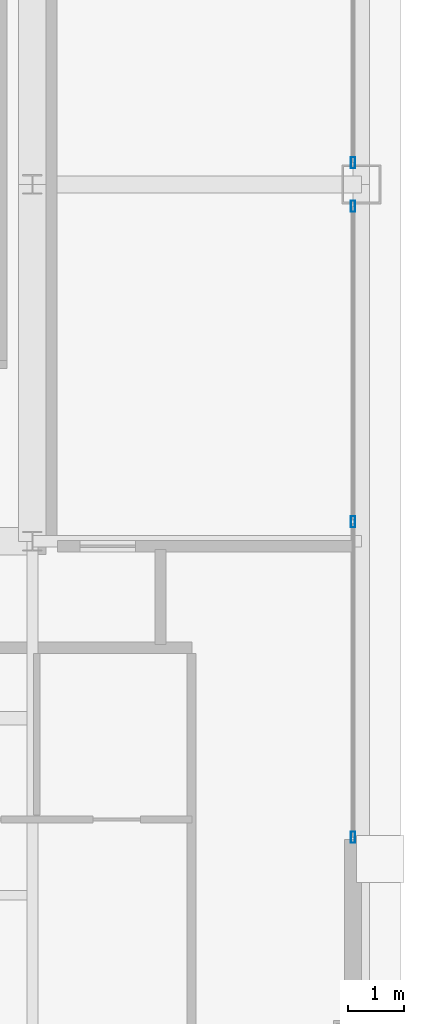
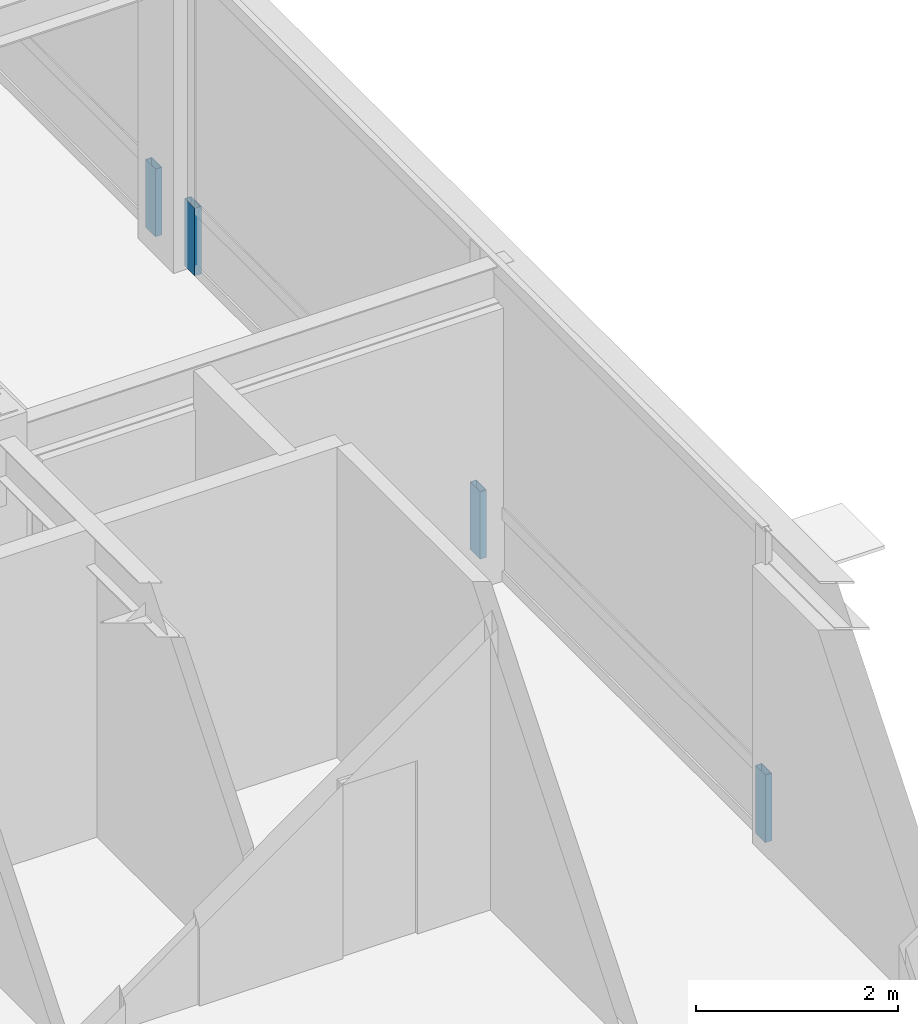
# One storey, part 25 of 34: 4 members, 2 elements without a shape of their own.
"""IFC4 building model written with IfcOpenShell, lengths in metres."""

from ifc_helpers import new_model, si_unit, direction, frame, origin, origin_2d, place, context, subcontext, project, spatial, hollow_rectangle, extrude, source, transform, mapped, material, layer, layer_set, material_profile, profile_set, type_object, element, aggregate, save


model = new_model("IFC4")

# Units and contexts
model_context = context("Model", 3, precision=1e-05, world=origin(), true_north=direction((0.0, 1.0)))
body_context = subcontext(model_context, "Body", "Model", "MODEL_VIEW")
ifc_project = project(units=[si_unit("LENGTHUNIT", "METRE"), si_unit("AREAUNIT", "SQUARE_METRE"), si_unit("VOLUMEUNIT", "CUBIC_METRE"), si_unit("PLANEANGLEUNIT", "RADIAN"), si_unit("MASSUNIT", "GRAM", prefix="KILO"), si_unit("THERMODYNAMICTEMPERATUREUNIT", "KELVIN"), si_unit("POWERUNIT", "WATT")], contexts=[model_context])

# Site, building, storey
site_placement = place(None, origin())
site = spatial("IfcSite", under=ifc_project, at=site_placement, CompositionType="ELEMENT")
building_placement = place(site_placement, origin())
building = spatial("IfcBuilding", under=site, at=building_placement, Name="Yuzanri Waterfront Tower", CompositionType="ELEMENT")
storey_placement = place(building_placement, frame((0.0, 0.0, 339.199951171875)))
storey = spatial("IfcBuildingStorey", under=building, at=storey_placement, Name="L91", CompositionType="ELEMENT", Elevation=339.199951171875)

# Curtain wall, members
ifc_material_1 = material(Name="Anodized Architectural Bronze", Category="metal")
ifc_layer = layer(ifc_material_1, 0.159912109375)
ifc_layer_set = layer_set([ifc_layer], Name="Anodized Architectural Bronze")
curtain_wall_type = type_object("IfcCurtainWallType", Name="Anodized Bronze High-Rise Penthouse High-Wind Unitized Curtain Wall 6900", PredefinedType="NOTDEFINED", material=ifc_layer_set)
curtain_wall_1_placement = place(storey_placement, origin())
curtain_wall_1 = element("IfcCurtainWall", 1, at=curtain_wall_1_placement, inside=storey, type_object=curtain_wall_type, Name="L91 Curtain Wall CW-L91-EL", PredefinedType="NOTDEFINED")
ifc_material_2 = material(Name="Anodized Architectural Bronze", Category="metal")
ifc_material_profile = material_profile(ifc_material_2, hollow_rectangle(XDim=0.074951171875, YDim=0.199951171875, WallThickness=0.00390625, at=origin_2d()), Name="CWM 75x200")
ifc_profile_set = profile_set([ifc_material_profile], Name="Anodized Architectural Bronze")
member_type = type_object("IfcMemberType", Name="Anodized Bronze Primary Curtain-Wall Mullion 75x200", PredefinedType="MULLION", material=ifc_profile_set)
shared_shape = source(origin(), body_context, "Body", "SweptSolid", [
    extrude(hollow_rectangle(XDim=0.074951171875, YDim=0.199951171875, WallThickness=0.00390625, at=origin_2d()), origin(), (0.0, 0.0, 1.0), 0.818115234375),
])
member_1_placement = place(storey_placement, frame((55.949951171875, 14.090087890625, 0.0), z_axis=(0.0, 0.0, 1.0), x_axis=(1.0, 0.0, 0.0)))
member_1 = element("IfcMember", 2, at=member_1_placement, type_object=member_type, Name="CW-L91-EL Lower Mullion 00", PredefinedType="MULLION", context=body_context, shape_type="MappedRepresentation", body=[
    mapped(shared_shape, transform((0.0, 0.0, 0.0), scale=1.0)),
])
member_2_placement = place(storey_placement, frame((55.949951171875, 19.75, 0.0), z_axis=(0.0, 0.0, 1.0), x_axis=(1.0, 0.0, 0.0)))
member_2 = element("IfcMember", 3, at=member_2_placement, type_object=member_type, Name="CW-L91-EL Lower Mullion 01", PredefinedType="MULLION", context=body_context, shape_type="MappedRepresentation", body=[
    mapped(shared_shape, transform((0.0, 0.0, 0.0), scale=1.0)),
])
member_3_placement = place(storey_placement, frame((55.949951171875, 25.409912109375, 0.0), z_axis=(0.0, 0.0, 1.0), x_axis=(1.0, 0.0, 0.0)))
member_3 = element("IfcMember", 4, at=member_3_placement, type_object=member_type, Name="CW-L91-EL Lower Mullion 02", PredefinedType="MULLION", context=body_context, shape_type="MappedRepresentation", body=[
    mapped(shared_shape, transform((0.0, 0.0, 0.0), scale=1.0)),
])
aggregate(curtain_wall_1, [member_1, member_2, member_3])

# Curtain wall, member
curtain_wall_2_placement = place(storey_placement, origin())
curtain_wall_2 = element("IfcCurtainWall", 5, at=curtain_wall_2_placement, inside=storey, type_object=curtain_wall_type, Name="L91 Curtain Wall CW-L91-ER", PredefinedType="NOTDEFINED")
member_4_placement = place(storey_placement, frame((55.949951171875, 26.18994140625, 0.0), z_axis=(0.0, 0.0, 1.0), x_axis=(1.0, 0.0, 0.0)))
member_4 = element("IfcMember", 6, at=member_4_placement, type_object=member_type, Name="CW-L91-ER Lower Mullion 00", PredefinedType="MULLION", context=body_context, shape_type="MappedRepresentation", body=[
    mapped(shared_shape, transform((0.0, 0.0, 0.0), scale=1.0)),
])
aggregate(curtain_wall_2, [member_4])

save(model, "model.ifc")
